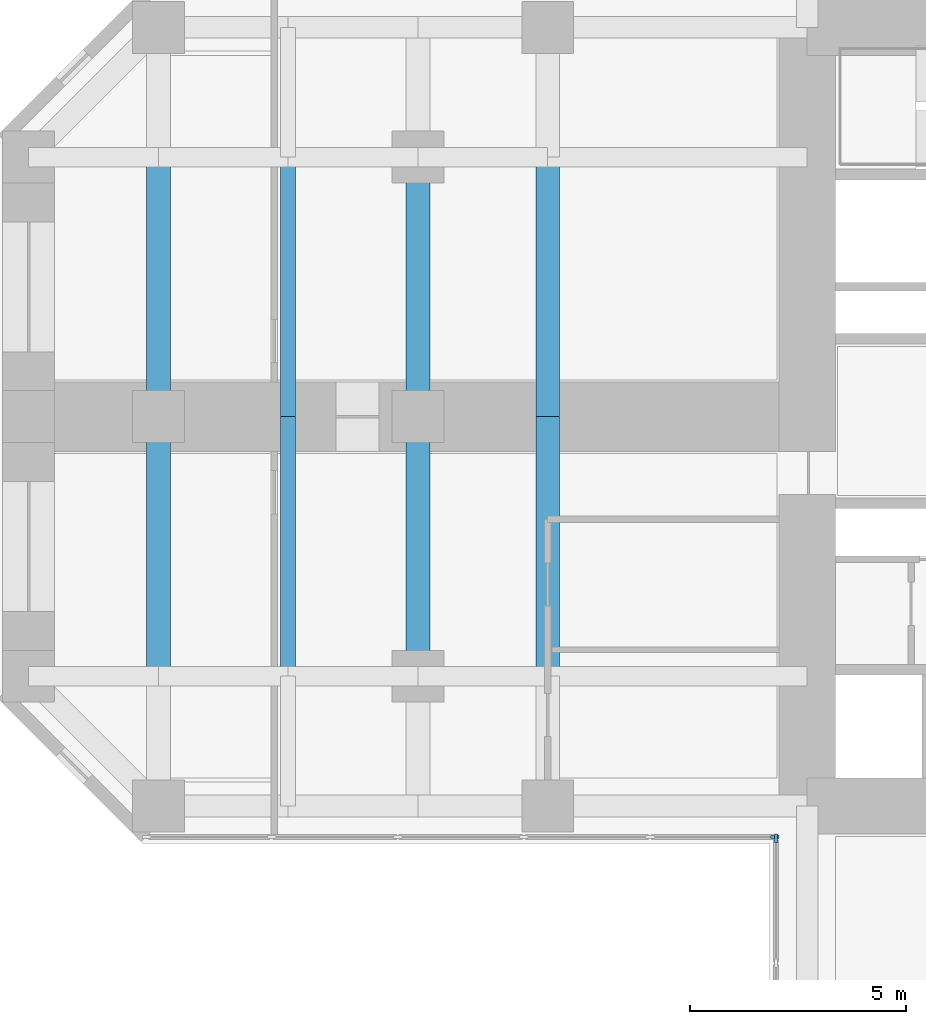
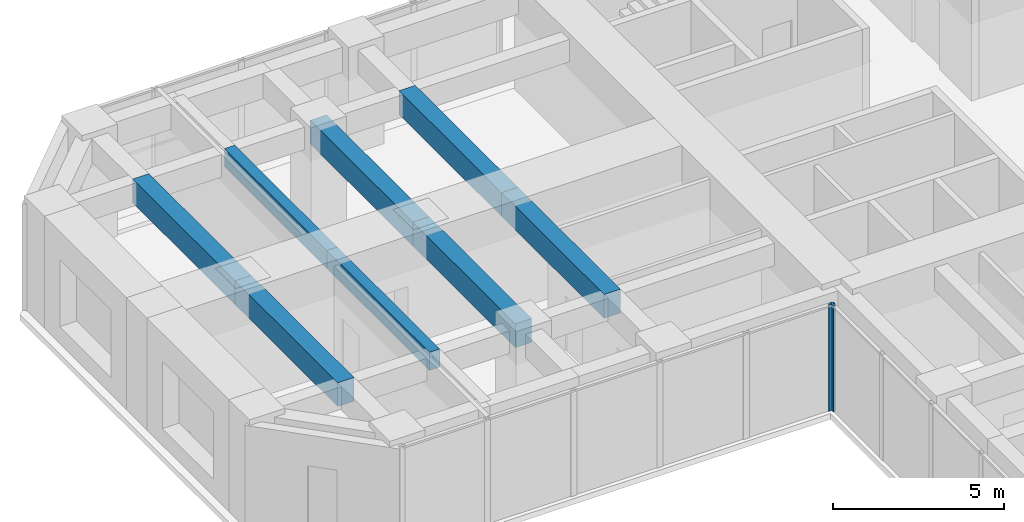
# One storey, part 3 of 12: 8 beams, 2 members, 2 elements without a shape of their own.
"""IFC4 building model written with IfcOpenShell, lengths in metres."""

import ifcopenshell
import ifcopenshell.guid

model = None  # the IFC model being written
_history = None  # IfcOwnerHistory: only IFC2X3 demands one
_inside = {}  # id of a spatial element -> (the spatial element, [elements in it])
_under = {}  # id of a project, library or spatial element -> (it, [spatial elements below it])
_declared = {}  # id of a project -> (the project, [libraries it declares])
_typed = {}  # id of a type object -> (the type object, [elements of that type])
_made_of = {}  # id of a material, layer set ... -> (it, [elements and type objects made of it])


def new_model(schema):
    """Start an empty IFC model of exactly this schema.

    Asked for "IFC4X3", IfcOpenShell would pick the latest addendum, in which some entities
    have other attributes; the version numbers below select the first issue.
    IFC2X3 requires an IfcOwnerHistory on every rooted entity: one is made here for all.
    """
    global model, _history
    if schema == "IFC4X3":
        model = ifcopenshell.file(schema_version=(4, 3, 0, 0))
    else:
        model = ifcopenshell.file(schema=schema)
    _inside.clear()
    _under.clear()
    _declared.clear()
    _typed.clear()
    _made_of.clear()
    _history = None
    if model.schema == "IFC2X3":
        org = make("IfcOrganization", Name="unknown")
        user = make(
            "IfcPersonAndOrganization",
            ThePerson=make("IfcPerson", FamilyName="unknown"),
            TheOrganization=org,
        )
        app = make(
            "IfcApplication",
            ApplicationDeveloper=org,
            Version="unknown",
            ApplicationFullName="unknown",
            ApplicationIdentifier="unknown",
        )
        _history = make(
            "IfcOwnerHistory",
            OwningUser=user,
            OwningApplication=app,
            ChangeAction="ADDED",
            CreationDate=0,
        )
    return model


def make(cls, **values):
    """One entity of the class cls with the attributes given. An attribute that is None is left unset."""
    return model.create_entity(
        cls, **{name: value for name, value in values.items() if value is not None}
    )


def rooted(cls, **values):
    """An entity with a GlobalId (a new one), such as an element, a storey or a relation."""
    return make(cls, GlobalId=ifcopenshell.guid.new(), OwnerHistory=_history, **values)


def si_unit(unit_type, name, prefix=None):
    """IfcSIUnit, for example si_unit("LENGTHUNIT", "METRE", prefix="MILLI")."""
    return make("IfcSIUnit", UnitType=unit_type, Prefix=prefix, Name=name)


def assignment(units):
    """IfcUnitAssignment: the units of a project."""
    return None if units is None else make("IfcUnitAssignment", Units=units)


def point(xyz):
    """IfcCartesianPoint."""
    return None if xyz is None else make("IfcCartesianPoint", Coordinates=xyz)


def direction(xyz):
    """IfcDirection."""
    return None if xyz is None else make("IfcDirection", DirectionRatios=xyz)


def frame(location, z_axis=None, x_axis=None):
    """IfcAxis2Placement3D, a coordinate frame: its origin and axes. An axis left out is left unset."""
    return make(
        "IfcAxis2Placement3D",
        Location=point(location),
        Axis=direction(z_axis),
        RefDirection=direction(x_axis),
    )


def frame_2d(location, x_axis=None):
    """IfcAxis2Placement2D, a coordinate frame in the plane: its origin and x axis."""
    return make(
        "IfcAxis2Placement2D", Location=point(location), RefDirection=direction(x_axis)
    )


def origin():
    """The frame at (0, 0, 0) with its axes left unset."""
    return frame((0.0, 0.0, 0.0))


def origin_2d():
    """The frame at (0, 0) in the plane with its x axis left unset."""
    return frame_2d((0.0, 0.0))


def place(relative_to, where):
    """IfcLocalPlacement: puts the frame where relative to a parent placement (None: the world)."""
    return make(
        "IfcLocalPlacement", PlacementRelTo=relative_to, RelativePlacement=where
    )


def context(
    kind, dimensions, precision=None, world=None, true_north=None, identifier=None
):
    """IfcGeometricRepresentationContext, for example the 3D "Model" context."""
    return make(
        "IfcGeometricRepresentationContext",
        ContextIdentifier=identifier,
        ContextType=kind,
        CoordinateSpaceDimension=dimensions,
        Precision=precision,
        WorldCoordinateSystem=world,
        TrueNorth=true_north,
    )


def subcontext(parent, identifier, kind, view, scale=None):
    """IfcGeometricRepresentationSubContext, for example "Body" below "Model"."""
    return make(
        "IfcGeometricRepresentationSubContext",
        ContextIdentifier=identifier,
        ContextType=kind,
        ParentContext=parent,
        TargetScale=scale,
        TargetView=view,
    )


def project(units=None, contexts=None):
    """IfcProject with its units and contexts."""
    return rooted(
        "IfcProject",
        Name="project",
        RepresentationContexts=contexts,
        UnitsInContext=assignment(units),
    )


def spatial(cls, under=None, at=None, **own):
    """A site, building, storey or space (cls), placed at a placement, below another one or the project."""
    s = rooted(cls, ObjectPlacement=at, **own)
    if under is not None:
        _under.setdefault(under.id(), (under, []))[1].append(s)
    return s


def profile(cls, at=None, kind="AREA", **sizes):
    """A parametric profile (cls). Its sizes go by their IFC names, for example OverallWidth=200.0."""
    return make(cls, ProfileType=kind, Position=at, **sizes)


def rectangle(**sizes):
    """IfcRectangleProfileDef."""
    return profile("IfcRectangleProfileDef", **sizes)


def extrude(swept, where, along, depth):
    """IfcExtrudedAreaSolid: the profile swept, set in the frame where, extruded along a direction by depth."""
    return make(
        "IfcExtrudedAreaSolid",
        SweptArea=swept,
        Position=where,
        ExtrudedDirection=direction(along),
        Depth=depth,
    )


def shape(context_of_items, identifier, shape_type, items):
    """IfcShapeRepresentation: the items that make up one representation, for example the "Body"."""
    return make(
        "IfcShapeRepresentation",
        ContextOfItems=context_of_items,
        RepresentationIdentifier=identifier,
        RepresentationType=shape_type,
        Items=items,
    )


def material(Name=None, Category=None):
    """IfcMaterial."""
    return make("IfcMaterial", Name=Name, Category=Category)


def material_profile(
    of_material, cross_section, Name=None, Category=None, Priority=None
):
    """IfcMaterialProfile: a cross section and its material."""
    return make(
        "IfcMaterialProfile",
        Name=Name,
        Material=of_material,
        Profile=cross_section,
        Priority=Priority,
        Category=Category,
    )


def profile_set(profiles, Name=None, composite=None):
    """IfcMaterialProfileSet."""
    return make(
        "IfcMaterialProfileSet",
        Name=Name,
        MaterialProfiles=profiles,
        CompositeProfile=composite,
    )


def made_of(thing, what):
    """Note that an element or type object is made of a material, layer set ...; save() writes the relation."""
    if what is not None:
        _made_of.setdefault(what.id(), (what, []))[1].append(thing)
    return thing


def type_object(cls, material=None, **own):
    """A type object (cls), such as IfcWallType, which elements share."""
    return made_of(rooted(cls, **own), material)


def element(
    cls,
    number,
    at=None,
    inside=None,
    cuts=None,
    type_object=None,
    material=None,
    context=None,
    identifier="Body",
    shape_type=None,
    held_by="IfcProductDefinitionShape",
    body=None,
    shapes=None,
    **own,
):
    """One element of the class cls, such as IfcWall. Its Tag is "e" and its number.

    at: its placement. inside: the storey or other place that contains it. cuts: it is an
    opening in that element (IfcRelVoidsElement). A single representation is given by context,
    identifier, shape_type and body (its items); several are given by shapes. held_by: the class
    of the entity that holds the representations. save() writes the other relations.
    """
    e = rooted(cls, Tag="e%d" % number, ObjectPlacement=at, **own)
    if body is not None:
        shapes = [shape(context, identifier, shape_type, body)]
    if shapes is not None:
        e.Representation = make(held_by, Representations=shapes)
    if inside is not None:
        _inside.setdefault(inside.id(), (inside, []))[1].append(e)
    if cuts is not None:
        rooted(
            "IfcRelVoidsElement", RelatingBuildingElement=cuts, RelatedOpeningElement=e
        )
    if type_object is not None:
        _typed.setdefault(type_object.id(), (type_object, []))[1].append(e)
    return made_of(e, material)


def aggregate(whole, parts):
    """IfcRelAggregates: a whole, such as a stair, and the parts it consists of."""
    return rooted("IfcRelAggregates", RelatingObject=whole, RelatedObjects=parts)


def save(model, path):
    """Write the relations noted so far, then the file.

    IfcRelAggregates (storeys below a building ...), IfcRelContainedInSpatialStructure (elements
    in a storey), IfcRelDefinesByType, IfcRelAssociatesMaterial and IfcRelDeclares: one each for
    every whole, place, type object, material and project.
    """
    for whole, parts in _under.values():
        aggregate(whole, parts)
    for where, things in _inside.values():
        rooted(
            "IfcRelContainedInSpatialStructure",
            RelatedElements=things,
            RelatingStructure=where,
        )
    for kind, things in _typed.values():
        rooted("IfcRelDefinesByType", RelatedObjects=things, RelatingType=kind)
    for what, things in _made_of.values():
        rooted("IfcRelAssociatesMaterial", RelatedObjects=things, RelatingMaterial=what)
    for by, libraries in _declared.values():
        rooted("IfcRelDeclares", RelatingContext=by, RelatedDefinitions=libraries)
    model.write(path)


model = new_model("IFC4")

# Units and contexts
model_context = context("Model", 3, precision=1e-05, world=origin(), true_north=direction((0.0, 1.0)))
body_context = subcontext(model_context, "Body", "Model", "MODEL_VIEW")
ifc_project = project(units=[si_unit("LENGTHUNIT", "METRE"), si_unit("AREAUNIT", "SQUARE_METRE"), si_unit("VOLUMEUNIT", "CUBIC_METRE"), si_unit("PLANEANGLEUNIT", "RADIAN"), si_unit("MASSUNIT", "GRAM", prefix="KILO")], contexts=[model_context])

# Site, building, storey
site_placement = place(None, origin())
site = spatial("IfcSite", under=ifc_project, at=site_placement, CompositionType="ELEMENT")
building_placement = place(site_placement, origin())
building = spatial("IfcBuilding", under=site, at=building_placement, Name="Torre Cruceta", CompositionType="ELEMENT")
storey_placement = place(building_placement, frame((0.0, 0.0, 35.5)))
storey = spatial("IfcBuildingStorey", under=building, at=storey_placement, Name="L08", CompositionType="ELEMENT", Elevation=35.5)

# Beams
ifc_material_1 = material(Name="Concrete G60 (fck 60 MPa)", Category="concrete")
ifc_material_profile_1 = material_profile(ifc_material_1, rectangle(XDim=0.550048828125, YDim=0.85009765625, at=origin_2d()), Name="RC 550X850")
ifc_profile_set_1 = profile_set([ifc_material_profile_1], Name="Concrete G60 (fck 60 MPa)")
beam_type_1 = type_object("IfcBeamType", Name="CROSS BEAM RC 550X850", PredefinedType="BEAM", material=ifc_profile_set_1)
for number, where, z_axis, x_axis, name in (
    (1, (-15.0, 6.0, 3.375), (0.0, -1.0, 0.0), (1.0, 0.0, 0.0), "GB4 L08 W cross15 2"),
    (2, (-15.0, 0.0, 3.375), (0.0, -1.0, 0.0), (1.0, 0.0, 0.0), "GB4 L08 W cross15 3"),
    (3, (-18.0, 6.0, 3.375), (0.0, -1.0, 0.0), (1.0, 0.0, 0.0), "GB4 L08 W cross18 2"),
    (4, (-18.0, 0.0, 3.375), (0.0, -1.0, 0.0), (1.0, 0.0, 0.0), "GB4 L08 W cross18 3"),
    (5, (-24.0, 6.0, 3.375), (0.0, -1.0, 0.0), (1.0, 0.0, 0.0), "GB4 L08 W cross24 2"),
    (6, (-24.0, 0.0, 3.375), (0.0, -1.0, 0.0), (1.0, 0.0, 0.0), "GB4 L08 W cross24 3"),
):
    element("IfcBeam", number, at=place(storey_placement, frame(where, z_axis=z_axis, x_axis=x_axis)), inside=storey, type_object=beam_type_1, Name=name, PredefinedType="BEAM", context=body_context, shape_type="SweptSolid", body=[
        extrude(rectangle(XDim=0.550048828125, YDim=0.85009765625, at=origin_2d()), origin(), (0.0, 0.0, 1.0), 6.0),
    ])

# Curtain wall, member
ifc_material_2 = material(Name="Aluminium unitised curtain wall", Category="aluminium")
curtain_wall_type = type_object("IfcCurtainWallType", Name="CURTAIN WALL CW-A OFFICE LOW RISE", PredefinedType="USERDEFINED", material=ifc_material_2)
curtain_wall_1_placement = place(storey_placement, origin())
curtain_wall_1 = element("IfcCurtainWall", 7, at=curtain_wall_1_placement, inside=storey, type_object=curtain_wall_type, Name="CW-A L08 W side 14", ObjectType="UNITISED", PredefinedType="USERDEFINED")
ifc_material_3 = material(Name="Aluminium mullion", Category="aluminium")
ifc_material_profile_2 = material_profile(ifc_material_3, rectangle(XDim=0.06494140625, YDim=0.199951171875, at=origin_2d()), Name="AL 65X200")
ifc_profile_set_2 = profile_set([ifc_material_profile_2], Name="Aluminium mullion")
member_type = type_object("IfcMemberType", Name="CW-A MULLION 65X200", PredefinedType="MULLION", material=ifc_profile_set_2)
member_1_placement = place(storey_placement, frame((-9.75244140625, -9.719970703125, 0.0), z_axis=(0.0, 0.0, 1.0), x_axis=(0.0, 1.0, 0.0)))
member_1 = element("IfcMember", 8, at=member_1_placement, type_object=member_type, Name="CW-A mullion 6", PredefinedType="MULLION", context=body_context, shape_type="SweptSolid", body=[
    extrude(rectangle(XDim=0.06494140625, YDim=0.199951171875, at=origin_2d()), origin(), (0.0, 0.0, 1.0), 3.800048828125),
])
aggregate(curtain_wall_1, [member_1])

curtain_wall_2_placement = place(storey_placement, origin())
curtain_wall_2 = element("IfcCurtainWall", 9, at=curtain_wall_2_placement, inside=storey, type_object=curtain_wall_type, Name="CW-A L08 S side 15", ObjectType="UNITISED", PredefinedType="USERDEFINED")
member_2_placement = place(storey_placement, frame((-9.719970703125, -9.75244140625, 0.0), z_axis=(0.0, 0.0, 1.0), x_axis=(1.0, 0.0, 0.0)))
member_2 = element("IfcMember", 10, at=member_2_placement, type_object=member_type, Name="CW-A mullion 1", PredefinedType="MULLION", context=body_context, shape_type="SweptSolid", body=[
    extrude(rectangle(XDim=0.06494140625, YDim=0.199951171875, at=origin_2d()), origin(), (0.0, 0.0, 1.0), 3.800048828125),
])
aggregate(curtain_wall_2, [member_2])

# Beams
ifc_material_4 = material(Name="Concrete G60 (fck 60 MPa)", Category="concrete")
ifc_material_profile_3 = material_profile(ifc_material_4, rectangle(XDim=0.35009765625, YDim=0.64990234375, at=origin_2d()), Name="RC 350X650")
ifc_profile_set_3 = profile_set([ifc_material_profile_3], Name="Concrete G60 (fck 60 MPa)")
beam_type_2 = type_object("IfcBeamType", Name="SECONDARY BEAM RC 350X650", PredefinedType="JOIST", material=ifc_profile_set_3)
for number, where, z_axis, x_axis, name in (
    (11, (-21.0, 6.0, 3.47509765625), (0.0, -1.0, 0.0), (1.0, 0.0, 0.0), "JB3 L08 W sec21 2"),
    (12, (-21.0, 0.0, 3.47509765625), (0.0, -1.0, 0.0), (1.0, 0.0, 0.0), "JB3 L08 W sec21 3"),
):
    element("IfcBeam", number, at=place(storey_placement, frame(where, z_axis=z_axis, x_axis=x_axis)), inside=storey, type_object=beam_type_2, Name=name, PredefinedType="JOIST", context=body_context, shape_type="SweptSolid", body=[
        extrude(rectangle(XDim=0.35009765625, YDim=0.64990234375, at=origin_2d()), origin(), (0.0, 0.0, 1.0), 6.0),
    ])

save(model, "model.ifc")
